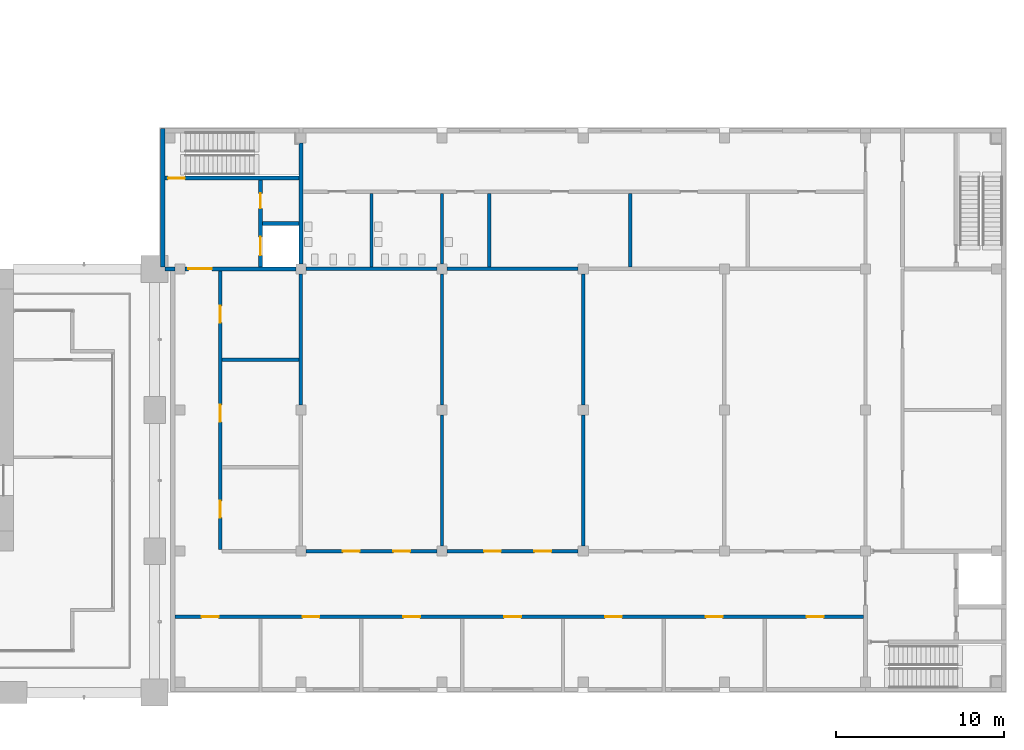
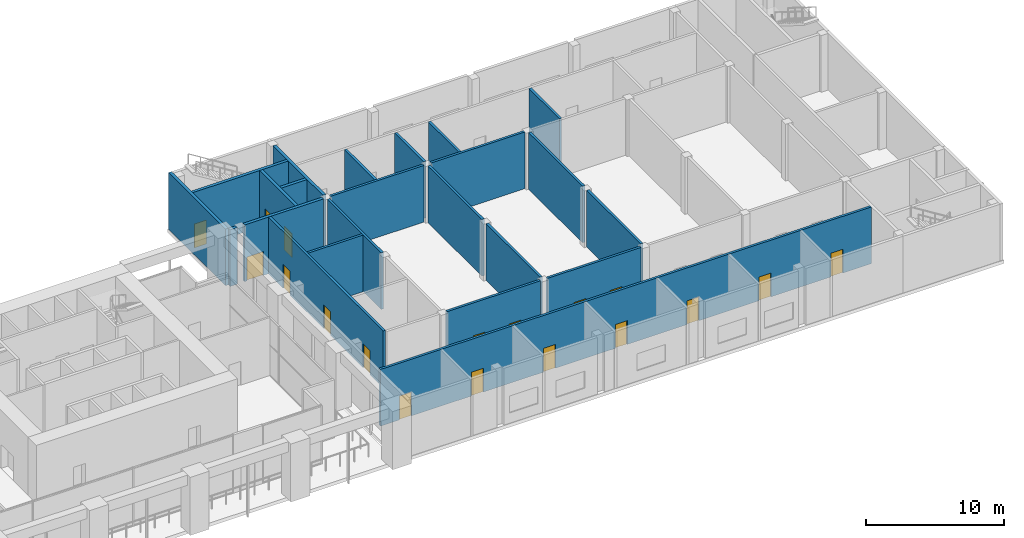
# One storey, part 19 of 32: 23 walls, 18 doors, 18 openings.
"""IFC4 building model written with IfcOpenShell, lengths in metres."""

from ifc_helpers import new_model, si_unit, direction, frame, frame_2d, origin, place, context, subcontext, project, spatial, rectangle, extrude, material, layer, layer_set, type_object, element, fill, save


model = new_model("IFC4")

# Units and contexts
model_context = context("Model", 3, precision=1e-05, world=origin(), true_north=direction((0.0, 1.0)))
body_context = subcontext(model_context, "Body", "Model", "MODEL_VIEW")
ifc_project = project(units=[si_unit("LENGTHUNIT", "METRE"), si_unit("AREAUNIT", "SQUARE_METRE"), si_unit("VOLUMEUNIT", "CUBIC_METRE"), si_unit("PLANEANGLEUNIT", "RADIAN"), si_unit("MASSUNIT", "GRAM", prefix="KILO")], contexts=[model_context])

# Site, building, storey
site_placement = place(None, origin())
site = spatial("IfcSite", under=ifc_project, at=site_placement, CompositionType="ELEMENT")
building_placement = place(site_placement, origin())
building = spatial("IfcBuilding", under=site, at=building_placement, Name="Vermilion Gate Residences", CompositionType="ELEMENT")
storey_placement = place(building_placement, frame((0.0, 0.0, 19.800048828125)))
storey = spatial("IfcBuildingStorey", under=building, at=storey_placement, Name="L03", CompositionType="ELEMENT", Elevation=19.800048828125)

# Wall, openings, doors
ifc_material_1 = material(Name="Masonry", Category="masonry")
ifc_layer_1 = layer(ifc_material_1, 0.199951171875)
ifc_layer_set_1 = layer_set([ifc_layer_1], Name="PARTITION 200 MASONRY EI 60 (MARKET HALL)")
wall_type_1 = type_object("IfcWallType", Name="PARTITION 200 MASONRY EI 60 (MARKET HALL)", PredefinedType="PARTITIONING", material=ifc_layer_set_1)
wall_1_placement = place(storey_placement, frame((68.39990234375, 4.5, 0.0), z_axis=(0.0, 0.0, 1.0), x_axis=(1.0, 0.0, 0.0)))
wall_1 = element("IfcWall", 1, at=wall_1_placement, inside=storey, type_object=wall_type_1, Name="Partition wall L03-8", PredefinedType="PARTITIONING", context=body_context, shape_type="SweptSolid", body=[
    extrude(rectangle(XDim=40.97509765625, YDim=0.199951171875, at=frame_2d((20.487548828125, 0.0))), origin(), (0.0, 0.0, 1.0), 5.0),
])
opening_1_placement = place(wall_1_placement, frame((1.60009765625, 0.0, 0.0)))
opening_1 = element("IfcOpeningElement", 2, at=opening_1_placement, cuts=wall_1, Name="Opening DH03002", PredefinedType="OPENING", context=body_context, shape_type="SweptSolid", body=[
    extrude(rectangle(XDim=1.0, YDim=2.10009765625, at=frame_2d((0.5, 1.050048828125))), frame((0.0, 0.10986328125, 0.0), z_axis=(0.0, -1.0, 0.0), x_axis=(1.0, 0.0, 0.0)), (0.0, 0.0, 1.0), 0.219970703125),
])
opening_2_placement = place(wall_1_placement, frame((7.60009765625, 0.0, 0.0)))
opening_2 = element("IfcOpeningElement", 3, at=opening_2_placement, cuts=wall_1, Name="Opening DH03003", PredefinedType="OPENING", context=body_context, shape_type="SweptSolid", body=[
    extrude(rectangle(XDim=1.0, YDim=2.10009765625, at=frame_2d((0.5, 1.050048828125))), frame((0.0, 0.10986328125, 0.0), z_axis=(0.0, -1.0, 0.0), x_axis=(1.0, 0.0, 0.0)), (0.0, 0.0, 1.0), 0.219970703125),
])
opening_3_placement = place(wall_1_placement, frame((13.60009765625, 0.0, 0.0)))
opening_3 = element("IfcOpeningElement", 4, at=opening_3_placement, cuts=wall_1, Name="Opening DH03004", PredefinedType="OPENING", context=body_context, shape_type="SweptSolid", body=[
    extrude(rectangle(XDim=1.0, YDim=2.10009765625, at=frame_2d((0.5, 1.050048828125))), frame((0.0, 0.10986328125, 0.0), z_axis=(0.0, -1.0, 0.0), x_axis=(1.0, 0.0, 0.0)), (0.0, 0.0, 1.0), 0.219970703125),
])
opening_4_placement = place(wall_1_placement, frame((19.60009765625, 0.0, 0.0)))
opening_4 = element("IfcOpeningElement", 5, at=opening_4_placement, cuts=wall_1, Name="Opening DH03005", PredefinedType="OPENING", context=body_context, shape_type="SweptSolid", body=[
    extrude(rectangle(XDim=1.0, YDim=2.10009765625, at=frame_2d((0.5, 1.050048828125))), frame((0.0, 0.10986328125, 0.0), z_axis=(0.0, -1.0, 0.0), x_axis=(1.0, 0.0, 0.0)), (0.0, 0.0, 1.0), 0.219970703125),
])
opening_5_placement = place(wall_1_placement, frame((25.60009765625, 0.0, 0.0)))
opening_5 = element("IfcOpeningElement", 6, at=opening_5_placement, cuts=wall_1, Name="Opening DH03006", PredefinedType="OPENING", context=body_context, shape_type="SweptSolid", body=[
    extrude(rectangle(XDim=1.0, YDim=2.10009765625, at=frame_2d((0.5, 1.050048828125))), frame((0.0, 0.10986328125, 0.0), z_axis=(0.0, -1.0, 0.0), x_axis=(1.0, 0.0, 0.0)), (0.0, 0.0, 1.0), 0.219970703125),
])
opening_6_placement = place(wall_1_placement, frame((31.60009765625, 0.0, 0.0)))
opening_6 = element("IfcOpeningElement", 7, at=opening_6_placement, cuts=wall_1, Name="Opening DH03007", PredefinedType="OPENING", context=body_context, shape_type="SweptSolid", body=[
    extrude(rectangle(XDim=1.0, YDim=2.10009765625, at=frame_2d((0.5, 1.050048828125))), frame((0.0, 0.10986328125, 0.0), z_axis=(0.0, -1.0, 0.0), x_axis=(1.0, 0.0, 0.0)), (0.0, 0.0, 1.0), 0.219970703125),
])
opening_7_placement = place(wall_1_placement, frame((37.60009765625, 0.0, 0.0)))
opening_7 = element("IfcOpeningElement", 8, at=opening_7_placement, cuts=wall_1, Name="Opening DH03008", PredefinedType="OPENING", context=body_context, shape_type="SweptSolid", body=[
    extrude(rectangle(XDim=1.0, YDim=2.10009765625, at=frame_2d((0.5, 1.050048828125))), frame((0.0, 0.10986328125, 0.0), z_axis=(0.0, -1.0, 0.0), x_axis=(1.0, 0.0, 0.0)), (0.0, 0.0, 1.0), 0.219970703125),
])
ifc_material_2 = material(Name="Steel", Category="steel")
door_type_1 = type_object("IfcDoorType", Name="FIRE DOOR FD30 1000 X 2100 (MARKET HALL)", OperationType="SINGLE_SWING_LEFT", PredefinedType="DOOR", material=ifc_material_2)
door_1_placement = place(opening_1_placement, frame((1.0, 0.0, 0.0), z_axis=(0.0, 0.0, 1.0), x_axis=(-1.0, 0.0, 0.0)))
door_1 = element("IfcDoor", 9, at=door_1_placement, inside=storey, type_object=door_type_1, Name="Fire door DH03002", OperationType="SINGLE_SWING_RIGHT", OverallHeight=2.10009765625, OverallWidth=1.0, PredefinedType="DOOR", context=body_context, shape_type="SweptSolid", body=[
    extrude(rectangle(XDim=1.0, YDim=2.10009765625, at=frame_2d((0.5, 1.050048828125))), frame((0.0, 0.02490234375, 0.0), z_axis=(0.0, -1.0, 0.0), x_axis=(1.0, 0.0, 0.0)), (0.0, 0.0, 1.0), 0.050048828125),
])
fill(opening_1, door_1)
door_2_placement = place(opening_2_placement, frame((1.0, 0.0, 0.0), z_axis=(0.0, 0.0, 1.0), x_axis=(-1.0, 0.0, 0.0)))
door_2 = element("IfcDoor", 10, at=door_2_placement, inside=storey, type_object=door_type_1, Name="Fire door DH03003", OperationType="SINGLE_SWING_RIGHT", OverallHeight=2.10009765625, OverallWidth=1.0, PredefinedType="DOOR", context=body_context, shape_type="SweptSolid", body=[
    extrude(rectangle(XDim=1.0, YDim=2.10009765625, at=frame_2d((0.5, 1.050048828125))), frame((0.0, 0.02490234375, 0.0), z_axis=(0.0, -1.0, 0.0), x_axis=(1.0, 0.0, 0.0)), (0.0, 0.0, 1.0), 0.050048828125),
])
fill(opening_2, door_2)
door_3_placement = place(opening_3_placement, frame((1.0, 0.0, 0.0), z_axis=(0.0, 0.0, 1.0), x_axis=(-1.0, 0.0, 0.0)))
door_3 = element("IfcDoor", 11, at=door_3_placement, inside=storey, type_object=door_type_1, Name="Fire door DH03004", OperationType="SINGLE_SWING_RIGHT", OverallHeight=2.10009765625, OverallWidth=1.0, PredefinedType="DOOR", context=body_context, shape_type="SweptSolid", body=[
    extrude(rectangle(XDim=1.0, YDim=2.10009765625, at=frame_2d((0.5, 1.050048828125))), frame((0.0, 0.02490234375, 0.0), z_axis=(0.0, -1.0, 0.0), x_axis=(1.0, 0.0, 0.0)), (0.0, 0.0, 1.0), 0.050048828125),
])
fill(opening_3, door_3)
door_4_placement = place(opening_4_placement, frame((1.0, 0.0, 0.0), z_axis=(0.0, 0.0, 1.0), x_axis=(-1.0, 0.0, 0.0)))
door_4 = element("IfcDoor", 12, at=door_4_placement, inside=storey, type_object=door_type_1, Name="Fire door DH03005", OperationType="SINGLE_SWING_RIGHT", OverallHeight=2.10009765625, OverallWidth=1.0, PredefinedType="DOOR", context=body_context, shape_type="SweptSolid", body=[
    extrude(rectangle(XDim=1.0, YDim=2.10009765625, at=frame_2d((0.5, 1.050048828125))), frame((0.0, 0.02490234375, 0.0), z_axis=(0.0, -1.0, 0.0), x_axis=(1.0, 0.0, 0.0)), (0.0, 0.0, 1.0), 0.050048828125),
])
fill(opening_4, door_4)
door_5_placement = place(opening_5_placement, frame((1.0, 0.0, 0.0), z_axis=(0.0, 0.0, 1.0), x_axis=(-1.0, 0.0, 0.0)))
door_5 = element("IfcDoor", 13, at=door_5_placement, inside=storey, type_object=door_type_1, Name="Fire door DH03006", OperationType="SINGLE_SWING_RIGHT", OverallHeight=2.10009765625, OverallWidth=1.0, PredefinedType="DOOR", context=body_context, shape_type="SweptSolid", body=[
    extrude(rectangle(XDim=1.0, YDim=2.10009765625, at=frame_2d((0.5, 1.050048828125))), frame((0.0, 0.02490234375, 0.0), z_axis=(0.0, -1.0, 0.0), x_axis=(1.0, 0.0, 0.0)), (0.0, 0.0, 1.0), 0.050048828125),
])
fill(opening_5, door_5)
door_6_placement = place(opening_6_placement, frame((1.0, 0.0, 0.0), z_axis=(0.0, 0.0, 1.0), x_axis=(-1.0, 0.0, 0.0)))
door_6 = element("IfcDoor", 14, at=door_6_placement, inside=storey, type_object=door_type_1, Name="Fire door DH03007", OperationType="SINGLE_SWING_RIGHT", OverallHeight=2.10009765625, OverallWidth=1.0, PredefinedType="DOOR", context=body_context, shape_type="SweptSolid", body=[
    extrude(rectangle(XDim=1.0, YDim=2.10009765625, at=frame_2d((0.5, 1.050048828125))), frame((0.0, 0.02490234375, 0.0), z_axis=(0.0, -1.0, 0.0), x_axis=(1.0, 0.0, 0.0)), (0.0, 0.0, 1.0), 0.050048828125),
])
fill(opening_6, door_6)
door_7_placement = place(opening_7_placement, frame((1.0, 0.0, 0.0), z_axis=(0.0, 0.0, 1.0), x_axis=(-1.0, 0.0, 0.0)))
door_7 = element("IfcDoor", 15, at=door_7_placement, inside=storey, type_object=door_type_1, Name="Fire door DH03008", OperationType="SINGLE_SWING_LEFT", OverallHeight=2.10009765625, OverallWidth=1.0, PredefinedType="DOOR", context=body_context, shape_type="SweptSolid", body=[
    extrude(rectangle(XDim=1.0, YDim=2.10009765625, at=frame_2d((0.5, 1.050048828125))), frame((0.0, 0.02490234375, 0.0), z_axis=(0.0, -1.0, 0.0), x_axis=(1.0, 0.0, 0.0)), (0.0, 0.0, 1.0), 0.050048828125),
])
fill(opening_7, door_7)

wall_2_placement = place(storey_placement, frame((76.199951171875, 8.39990234375, 0.0), z_axis=(0.0, 0.0, 1.0), x_axis=(1.0, 0.0, 0.0)))
wall_2 = element("IfcWall", 16, at=wall_2_placement, inside=storey, type_object=wall_type_1, Name="Partition wall L03-11", PredefinedType="PARTITIONING", context=body_context, shape_type="SweptSolid", body=[
    extrude(rectangle(XDim=7.800048828125, YDim=0.199951171875, at=frame_2d((3.89990234375, 0.0))), origin(), (0.0, 0.0, 1.0), 5.0),
])
opening_8_placement = place(wall_2_placement, frame((2.199951171875, 0.0, 0.0)))
opening_8 = element("IfcOpeningElement", 17, at=opening_8_placement, cuts=wall_2, Name="Opening DH03009", PredefinedType="OPENING", context=body_context, shape_type="SweptSolid", body=[
    extrude(rectangle(XDim=1.0, YDim=2.10009765625, at=frame_2d((0.5, 1.050048828125))), frame((0.0, 0.10986328125, 0.0), z_axis=(0.0, -1.0, 0.0), x_axis=(1.0, 0.0, 0.0)), (0.0, 0.0, 1.0), 0.219970703125),
])
opening_9_placement = place(wall_2_placement, frame((5.199951171875, 0.0, 0.0)))
opening_9 = element("IfcOpeningElement", 18, at=opening_9_placement, cuts=wall_2, Name="Opening DH03010", PredefinedType="OPENING", context=body_context, shape_type="SweptSolid", body=[
    extrude(rectangle(XDim=1.0, YDim=2.10009765625, at=frame_2d((0.5, 1.050048828125))), frame((0.0, 0.10986328125, 0.0), z_axis=(0.0, -1.0, 0.0), x_axis=(1.0, 0.0, 0.0)), (0.0, 0.0, 1.0), 0.219970703125),
])
door_8_placement = place(opening_8_placement, frame((1.0, 0.0, 0.0), z_axis=(0.0, 0.0, 1.0), x_axis=(-1.0, 0.0, 0.0)))
door_8 = element("IfcDoor", 19, at=door_8_placement, inside=storey, type_object=door_type_1, Name="Fire door DH03009", OperationType="SINGLE_SWING_RIGHT", OverallHeight=2.10009765625, OverallWidth=1.0, PredefinedType="DOOR", context=body_context, shape_type="SweptSolid", body=[
    extrude(rectangle(XDim=1.0, YDim=2.10009765625, at=frame_2d((0.5, 1.050048828125))), frame((0.0, 0.02490234375, 0.0), z_axis=(0.0, -1.0, 0.0), x_axis=(1.0, 0.0, 0.0)), (0.0, 0.0, 1.0), 0.050048828125),
])
fill(opening_8, door_8)
door_9_placement = place(opening_9_placement, frame((1.0, 0.0, 0.0), z_axis=(0.0, 0.0, 1.0), x_axis=(-1.0, 0.0, 0.0)))
door_9 = element("IfcDoor", 20, at=door_9_placement, inside=storey, type_object=door_type_1, Name="Fire door DH03010", OperationType="SINGLE_SWING_LEFT", OverallHeight=2.10009765625, OverallWidth=1.0, PredefinedType="DOOR", context=body_context, shape_type="SweptSolid", body=[
    extrude(rectangle(XDim=1.0, YDim=2.10009765625, at=frame_2d((0.5, 1.050048828125))), frame((0.0, 0.02490234375, 0.0), z_axis=(0.0, -1.0, 0.0), x_axis=(1.0, 0.0, 0.0)), (0.0, 0.0, 1.0), 0.050048828125),
])
fill(opening_9, door_9)

wall_3_placement = place(storey_placement, frame((84.60009765625, 8.39990234375, 0.0), z_axis=(0.0, 0.0, 1.0), x_axis=(1.0, 0.0, 0.0)))
wall_3 = element("IfcWall", 21, at=wall_3_placement, inside=storey, type_object=wall_type_1, Name="Partition wall L03-12", PredefinedType="PARTITIONING", context=body_context, shape_type="SweptSolid", body=[
    extrude(rectangle(XDim=7.7998046875, YDim=0.199951171875, at=frame_2d((3.89990234375, 0.0))), origin(), (0.0, 0.0, 1.0), 5.0),
])
opening_10_placement = place(wall_3_placement, frame((2.199951171875, 0.0, 0.0)))
opening_10 = element("IfcOpeningElement", 22, at=opening_10_placement, cuts=wall_3, Name="Opening DH03011", PredefinedType="OPENING", context=body_context, shape_type="SweptSolid", body=[
    extrude(rectangle(XDim=1.0, YDim=2.10009765625, at=frame_2d((0.5, 1.050048828125))), frame((0.0, 0.10986328125, 0.0), z_axis=(0.0, -1.0, 0.0), x_axis=(1.0, 0.0, 0.0)), (0.0, 0.0, 1.0), 0.219970703125),
])
opening_11_placement = place(wall_3_placement, frame((5.199951171875, 0.0, 0.0)))
opening_11 = element("IfcOpeningElement", 23, at=opening_11_placement, cuts=wall_3, Name="Opening DH03012", PredefinedType="OPENING", context=body_context, shape_type="SweptSolid", body=[
    extrude(rectangle(XDim=1.0, YDim=2.10009765625, at=frame_2d((0.5, 1.050048828125))), frame((0.0, 0.10986328125, 0.0), z_axis=(0.0, -1.0, 0.0), x_axis=(1.0, 0.0, 0.0)), (0.0, 0.0, 1.0), 0.219970703125),
])
door_10_placement = place(opening_10_placement, frame((1.0, 0.0, 0.0), z_axis=(0.0, 0.0, 1.0), x_axis=(-1.0, 0.0, 0.0)))
door_10 = element("IfcDoor", 24, at=door_10_placement, inside=storey, type_object=door_type_1, Name="Fire door DH03011", OperationType="SINGLE_SWING_RIGHT", OverallHeight=2.10009765625, OverallWidth=1.0, PredefinedType="DOOR", context=body_context, shape_type="SweptSolid", body=[
    extrude(rectangle(XDim=1.0, YDim=2.10009765625, at=frame_2d((0.5, 1.050048828125))), frame((0.0, 0.02490234375, 0.0), z_axis=(0.0, -1.0, 0.0), x_axis=(1.0, 0.0, 0.0)), (0.0, 0.0, 1.0), 0.050048828125),
])
fill(opening_10, door_10)
door_11_placement = place(opening_11_placement, frame((1.0, 0.0, 0.0), z_axis=(0.0, 0.0, 1.0), x_axis=(-1.0, 0.0, 0.0)))
door_11 = element("IfcDoor", 25, at=door_11_placement, inside=storey, type_object=door_type_1, Name="Fire door DH03012", OperationType="SINGLE_SWING_LEFT", OverallHeight=2.10009765625, OverallWidth=1.0, PredefinedType="DOOR", context=body_context, shape_type="SweptSolid", body=[
    extrude(rectangle(XDim=1.0, YDim=2.10009765625, at=frame_2d((0.5, 1.050048828125))), frame((0.0, 0.02490234375, 0.0), z_axis=(0.0, -1.0, 0.0), x_axis=(1.0, 0.0, 0.0)), (0.0, 0.0, 1.0), 0.050048828125),
])
fill(opening_11, door_11)

# Walls
wall_4_placement = place(storey_placement, frame((71.199951171875, 19.800048828125, 0.0), z_axis=(0.0, 0.0, 1.0), x_axis=(1.0, 0.0, 0.0)))
element("IfcWall", 26, at=wall_4_placement, inside=storey, type_object=wall_type_1, Name="Partition wall L03-18", PredefinedType="PARTITIONING", context=body_context, shape_type="SweptSolid", body=[
    extrude(rectangle(XDim=4.60009765625, YDim=0.199951171875, at=frame_2d((2.300048828125, 0.0))), origin(), (0.0, 0.0, 1.0), 5.0),
])
wall_5_placement = place(storey_placement, frame((76.199951171875, 25.199951171875, 0.0), z_axis=(0.0, 0.0, 1.0), x_axis=(1.0, 0.0, 0.0)))
element("IfcWall", 27, at=wall_5_placement, inside=storey, type_object=wall_type_1, Name="Partition wall L03-21", PredefinedType="PARTITIONING", context=body_context, shape_type="SweptSolid", body=[
    extrude(rectangle(XDim=7.800048828125, YDim=0.199951171875, at=frame_2d((3.89990234375, 0.0))), origin(), (0.0, 0.0, 1.0), 5.0),
])
wall_6_placement = place(storey_placement, frame((84.60009765625, 25.199951171875, 0.0), z_axis=(0.0, 0.0, 1.0), x_axis=(1.0, 0.0, 0.0)))
element("IfcWall", 28, at=wall_6_placement, inside=storey, type_object=wall_type_1, Name="Partition wall L03-22", PredefinedType="PARTITIONING", context=body_context, shape_type="SweptSolid", body=[
    extrude(rectangle(XDim=7.7998046875, YDim=0.199951171875, at=frame_2d((3.89990234375, 0.0))), origin(), (0.0, 0.0, 1.0), 5.0),
])

# Wall, openings, doors
wall_7_placement = place(storey_placement, frame((71.10009765625, 8.5, 0.0), z_axis=(0.0, 0.0, 1.0), x_axis=(0.0, 1.0, 0.0)))
wall_7 = element("IfcWall", 29, at=wall_7_placement, inside=storey, type_object=wall_type_1, Name="Partition wall L03-38", PredefinedType="PARTITIONING", context=body_context, shape_type="SweptSolid", body=[
    extrude(rectangle(XDim=16.574951171875, YDim=0.199951171875, at=frame_2d((8.28759765625, 0.0))), origin(), (0.0, 0.0, 1.0), 5.0),
])
opening_12_placement = place(wall_7_placement, frame((1.89990234375, 0.0, 0.0)))
opening_12 = element("IfcOpeningElement", 30, at=opening_12_placement, cuts=wall_7, Name="Opening DH03027", PredefinedType="OPENING", context=body_context, shape_type="SweptSolid", body=[
    extrude(rectangle(XDim=1.0, YDim=2.10009765625, at=frame_2d((0.5, 1.050048828125))), frame((0.0, 0.10986328125, 0.0), z_axis=(0.0, -1.0, 0.0), x_axis=(1.0, 0.0, 0.0)), (0.0, 0.0, 1.0), 0.219970703125),
])
opening_13_placement = place(wall_7_placement, frame((7.60009765625, 0.0, 0.0)))
opening_13 = element("IfcOpeningElement", 31, at=opening_13_placement, cuts=wall_7, Name="Opening DH03028", PredefinedType="OPENING", context=body_context, shape_type="SweptSolid", body=[
    extrude(rectangle(XDim=1.0, YDim=2.10009765625, at=frame_2d((0.5, 1.050048828125))), frame((0.0, 0.10986328125, 0.0), z_axis=(0.0, -1.0, 0.0), x_axis=(1.0, 0.0, 0.0)), (0.0, 0.0, 1.0), 0.219970703125),
])
opening_14_placement = place(wall_7_placement, frame((13.5, 0.0, 0.0)))
opening_14 = element("IfcOpeningElement", 32, at=opening_14_placement, cuts=wall_7, Name="Opening DH03029", PredefinedType="OPENING", context=body_context, shape_type="SweptSolid", body=[
    extrude(rectangle(XDim=1.0, YDim=2.10009765625, at=frame_2d((0.5, 1.050048828125))), frame((0.0, 0.10986328125, 0.0), z_axis=(0.0, -1.0, 0.0), x_axis=(1.0, 0.0, 0.0)), (0.0, 0.0, 1.0), 0.219970703125),
])
door_12_placement = place(opening_12_placement, frame((1.0, 0.0, 0.0), z_axis=(0.0, 0.0, 1.0), x_axis=(-1.0, 0.0, 0.0)))
door_12 = element("IfcDoor", 33, at=door_12_placement, inside=storey, type_object=door_type_1, Name="Fire door DH03027", OperationType="SINGLE_SWING_RIGHT", OverallHeight=2.10009765625, OverallWidth=1.0, PredefinedType="DOOR", context=body_context, shape_type="SweptSolid", body=[
    extrude(rectangle(XDim=1.0, YDim=2.10009765625, at=frame_2d((0.5, 1.050048828125))), frame((0.0, 0.02490234375, 0.0), z_axis=(0.0, -1.0, 0.0), x_axis=(1.0, 0.0, 0.0)), (0.0, 0.0, 1.0), 0.050048828125),
])
fill(opening_12, door_12)
door_13_placement = place(opening_13_placement, frame((1.0, 0.0, 0.0), z_axis=(0.0, 0.0, 1.0), x_axis=(-1.0, 0.0, 0.0)))
door_13 = element("IfcDoor", 34, at=door_13_placement, inside=storey, type_object=door_type_1, Name="Fire door DH03028", OperationType="SINGLE_SWING_LEFT", OverallHeight=2.10009765625, OverallWidth=1.0, PredefinedType="DOOR", context=body_context, shape_type="SweptSolid", body=[
    extrude(rectangle(XDim=1.0, YDim=2.10009765625, at=frame_2d((0.5, 1.050048828125))), frame((0.0, 0.02490234375, 0.0), z_axis=(0.0, -1.0, 0.0), x_axis=(1.0, 0.0, 0.0)), (0.0, 0.0, 1.0), 0.050048828125),
])
fill(opening_13, door_13)
door_14_placement = place(opening_14_placement, frame((1.0, 0.0, 0.0), z_axis=(0.0, 0.0, 1.0), x_axis=(-1.0, 0.0, 0.0)))
door_14 = element("IfcDoor", 35, at=door_14_placement, inside=storey, type_object=door_type_1, Name="Fire door DH03029", OperationType="SINGLE_SWING_LEFT", OverallHeight=2.10009765625, OverallWidth=1.0, PredefinedType="DOOR", context=body_context, shape_type="SweptSolid", body=[
    extrude(rectangle(XDim=1.0, YDim=2.10009765625, at=frame_2d((0.5, 1.050048828125))), frame((0.0, 0.02490234375, 0.0), z_axis=(0.0, -1.0, 0.0), x_axis=(1.0, 0.0, 0.0)), (0.0, 0.0, 1.0), 0.050048828125),
])
fill(opening_14, door_14)

# Walls
wall_8_placement = place(storey_placement, frame((75.89990234375, 17.10009765625, 0.0), z_axis=(0.0, 0.0, 1.0), x_axis=(0.0, 1.0, 0.0)))
element("IfcWall", 36, at=wall_8_placement, inside=storey, type_object=wall_type_1, Name="Partition wall L03-42", PredefinedType="PARTITIONING", context=body_context, shape_type="SweptSolid", body=[
    extrude(rectangle(XDim=7.7998046875, YDim=0.199951171875, at=frame_2d((3.89990234375, 0.0))), origin(), (0.0, 0.0, 1.0), 5.0),
])
wall_9_placement = place(storey_placement, frame((80.10009765625, 25.300048828125, 0.0), z_axis=(0.0, 0.0, 1.0), x_axis=(0.0, 1.0, 0.0)))
element("IfcWall", 37, at=wall_9_placement, inside=storey, type_object=wall_type_1, Name="Partition wall L03-46", PredefinedType="PARTITIONING", context=body_context, shape_type="SweptSolid", body=[
    extrude(rectangle(XDim=4.39990234375, YDim=0.199951171875, at=frame_2d((2.199951171875, 0.0))), origin(), (0.0, 0.0, 1.0), 5.0),
])
wall_10_placement = place(storey_placement, frame((84.300048828125, 8.699951171875, 0.0), z_axis=(0.0, 0.0, 1.0), x_axis=(0.0, 1.0, 0.0)))
element("IfcWall", 38, at=wall_10_placement, inside=storey, type_object=wall_type_1, Name="Partition wall L03-47", PredefinedType="PARTITIONING", context=body_context, shape_type="SweptSolid", body=[
    extrude(rectangle(XDim=7.800048828125, YDim=0.199951171875, at=frame_2d((3.89990234375, 0.0))), origin(), (0.0, 0.0, 1.0), 5.0),
])
wall_11_placement = place(storey_placement, frame((84.300048828125, 17.10009765625, 0.0), z_axis=(0.0, 0.0, 1.0), x_axis=(0.0, 1.0, 0.0)))
element("IfcWall", 39, at=wall_11_placement, inside=storey, type_object=wall_type_1, Name="Partition wall L03-48", PredefinedType="PARTITIONING", context=body_context, shape_type="SweptSolid", body=[
    extrude(rectangle(XDim=7.7998046875, YDim=0.199951171875, at=frame_2d((3.89990234375, 0.0))), origin(), (0.0, 0.0, 1.0), 5.0),
])
wall_12_placement = place(storey_placement, frame((84.300048828125, 25.5, 0.0), z_axis=(0.0, 0.0, 1.0), x_axis=(0.0, 1.0, 0.0)))
element("IfcWall", 40, at=wall_12_placement, inside=storey, type_object=wall_type_1, Name="Partition wall L03-49", PredefinedType="PARTITIONING", context=body_context, shape_type="SweptSolid", body=[
    extrude(rectangle(XDim=4.199951171875, YDim=0.199951171875, at=frame_2d((2.10009765625, 0.0))), origin(), (0.0, 0.0, 1.0), 5.0),
])
wall_13_placement = place(storey_placement, frame((87.10009765625, 25.300048828125, 0.0), z_axis=(0.0, 0.0, 1.0), x_axis=(0.0, 1.0, 0.0)))
element("IfcWall", 41, at=wall_13_placement, inside=storey, type_object=wall_type_1, Name="Partition wall L03-51", PredefinedType="PARTITIONING", context=body_context, shape_type="SweptSolid", body=[
    extrude(rectangle(XDim=4.39990234375, YDim=0.199951171875, at=frame_2d((2.199951171875, 0.0))), origin(), (0.0, 0.0, 1.0), 5.0),
])
wall_14_placement = place(storey_placement, frame((92.699951171875, 8.699951171875, 0.0), z_axis=(0.0, 0.0, 1.0), x_axis=(0.0, 1.0, 0.0)))
element("IfcWall", 42, at=wall_14_placement, inside=storey, type_object=wall_type_1, Name="Partition wall L03-53", PredefinedType="PARTITIONING", context=body_context, shape_type="SweptSolid", body=[
    extrude(rectangle(XDim=7.800048828125, YDim=0.199951171875, at=frame_2d((3.89990234375, 0.0))), origin(), (0.0, 0.0, 1.0), 5.0),
])
wall_15_placement = place(storey_placement, frame((92.699951171875, 17.10009765625, 0.0), z_axis=(0.0, 0.0, 1.0), x_axis=(0.0, 1.0, 0.0)))
element("IfcWall", 43, at=wall_15_placement, inside=storey, type_object=wall_type_1, Name="Partition wall L03-54", PredefinedType="PARTITIONING", context=body_context, shape_type="SweptSolid", body=[
    extrude(rectangle(XDim=7.7998046875, YDim=0.199951171875, at=frame_2d((3.89990234375, 0.0))), origin(), (0.0, 0.0, 1.0), 5.0),
])
wall_16_placement = place(storey_placement, frame((95.5, 25.300048828125, 0.0), z_axis=(0.0, 0.0, 1.0), x_axis=(0.0, 1.0, 0.0)))
element("IfcWall", 44, at=wall_16_placement, inside=storey, type_object=wall_type_1, Name="Partition wall L03-55", PredefinedType="PARTITIONING", context=body_context, shape_type="SweptSolid", body=[
    extrude(rectangle(XDim=4.39990234375, YDim=0.199951171875, at=frame_2d((2.199951171875, 0.0))), origin(), (0.0, 0.0, 1.0), 5.0),
])
ifc_material_3 = material(Name="Concrete C45", Category="concrete")
ifc_layer_2 = layer(ifc_material_3, 0.25)
ifc_layer_set_2 = layer_set([ifc_layer_2], Name="RC CORE WALL 250 C45 (MARKET HALL)")
wall_type_2 = type_object("IfcWallType", Name="RC CORE WALL 250 C45 (MARKET HALL)", PredefinedType="SHEAR", material=ifc_layer_set_2)
wall_17_placement = place(storey_placement, frame((67.800048828125, 25.199951171875, 0.0), z_axis=(0.0, 0.0, 1.0), x_axis=(1.0, 0.0, 0.0)))
element("IfcWall", 45, at=wall_17_placement, inside=storey, type_object=wall_type_2, Name="Core wall L03-19", PredefinedType="SHEAR", context=body_context, shape_type="SweptSolid", body=[
    extrude(rectangle(XDim=0.599853515625, YDim=0.25, at=frame_2d((0.2998046875, 0.0))), origin(), (0.0, 0.0, 1.0), 5.0),
])

# Wall, opening, door
wall_18_placement = place(storey_placement, frame((69.0, 25.199951171875, 0.0), z_axis=(0.0, 0.0, 1.0), x_axis=(1.0, 0.0, 0.0)))
wall_18 = element("IfcWall", 46, at=wall_18_placement, inside=storey, type_object=wall_type_2, Name="Core wall L03-20", PredefinedType="SHEAR", context=body_context, shape_type="SweptSolid", body=[
    extrude(rectangle(XDim=6.60009765625, YDim=0.25, at=frame_2d((3.300048828125, 0.0))), origin(), (0.0, 0.0, 1.0), 5.0),
])
opening_15_placement = place(wall_18_placement, frame((0.199951171875, 0.0, 0.0)))
opening_15 = element("IfcOpeningElement", 47, at=opening_15_placement, cuts=wall_18, Name="Opening DH03030", PredefinedType="OPENING", context=body_context, shape_type="SweptSolid", body=[
    extrude(rectangle(XDim=1.39990234375, YDim=2.10009765625, at=frame_2d((0.699951171875, 1.050048828125))), frame((0.0, 0.135009765625, 0.0), z_axis=(0.0, -1.0, 0.0), x_axis=(1.0, 0.0, 0.0)), (0.0, 0.0, 1.0), 0.27001953125),
])
ifc_material_4 = material(Name="Steel", Category="steel")
door_type_2 = type_object("IfcDoorType", Name="FIRE DOOR FD60 1400 X 2100 DOUBLE (MARKET HALL)", OperationType="DOUBLE_DOOR_SINGLE_SWING", PredefinedType="DOOR", material=ifc_material_4)
door_15_placement = place(opening_15_placement, origin())
door_15 = element("IfcDoor", 48, at=door_15_placement, inside=storey, type_object=door_type_2, Name="Lobby fire door DH03030", OperationType="DOUBLE_DOOR_SINGLE_SWING", OverallHeight=2.10009765625, OverallWidth=1.39990234375, PredefinedType="DOOR", context=body_context, shape_type="SweptSolid", body=[
    extrude(rectangle(XDim=1.39990234375, YDim=2.10009765625, at=frame_2d((0.699951171875, 1.050048828125))), frame((0.0, 0.02490234375, 0.0), z_axis=(0.0, -1.0, 0.0), x_axis=(1.0, 0.0, 0.0)), (0.0, 0.0, 1.0), 0.050048828125),
])
fill(opening_15, door_15)

# Wall
wall_19_placement = place(storey_placement, frame((73.625, 27.89990234375, 0.0), z_axis=(0.0, 0.0, 1.0), x_axis=(1.0, 0.0, 0.0)))
element("IfcWall", 49, at=wall_19_placement, inside=storey, type_object=wall_type_2, Name="Core wall L03-26", PredefinedType="SHEAR", context=body_context, shape_type="SweptSolid", body=[
    extrude(rectangle(XDim=2.14990234375, YDim=0.25, at=frame_2d((1.074951171875, 0.0))), origin(), (0.0, 0.0, 1.0), 5.0),
])

# Wall, opening, door
wall_20_placement = place(storey_placement, frame((67.800048828125, 30.60009765625, 0.0), z_axis=(0.0, 0.0, 1.0), x_axis=(1.0, 0.0, 0.0)))
wall_20 = element("IfcWall", 50, at=wall_20_placement, inside=storey, type_object=wall_type_2, Name="Core wall L03-28", PredefinedType="SHEAR", context=body_context, shape_type="SweptSolid", body=[
    extrude(rectangle(XDim=7.974853515625, YDim=0.25, at=frame_2d((3.9873046875, 0.0))), origin(), (0.0, 0.0, 1.0), 5.0),
])
opening_16_placement = place(wall_20_placement, frame((0.199951171875, 0.0, 0.0)))
opening_16 = element("IfcOpeningElement", 51, at=opening_16_placement, cuts=wall_20, Name="Opening DH03033", PredefinedType="OPENING", context=body_context, shape_type="SweptSolid", body=[
    extrude(rectangle(XDim=1.0, YDim=2.10009765625, at=frame_2d((0.5, 1.050048828125))), frame((0.0, 0.135009765625, 0.0), z_axis=(0.0, -1.0, 0.0), x_axis=(1.0, 0.0, 0.0)), (0.0, 0.0, 1.0), 0.27001953125),
])
ifc_material_5 = material(Name="Steel", Category="steel")
door_type_3 = type_object("IfcDoorType", Name="STAIR DOOR FD60 1000 X 2100 (MARKET HALL)", OperationType="SINGLE_SWING_LEFT", PredefinedType="DOOR", material=ifc_material_5)
door_16_placement = place(opening_16_placement, origin())
door_16 = element("IfcDoor", 52, at=door_16_placement, inside=storey, type_object=door_type_3, Name="Stair door DH03033", OperationType="SINGLE_SWING_RIGHT", OverallHeight=2.10009765625, OverallWidth=1.0, PredefinedType="DOOR", context=body_context, shape_type="SweptSolid", body=[
    extrude(rectangle(XDim=1.0, YDim=2.10009765625, at=frame_2d((0.5, 1.050048828125))), frame((0.0, 0.02490234375, 0.0), z_axis=(0.0, -1.0, 0.0), x_axis=(1.0, 0.0, 0.0)), (0.0, 0.0, 1.0), 0.050048828125),
])
fill(opening_16, door_16)

# Wall
wall_21_placement = place(storey_placement, frame((67.675048828125, 25.324951171875, 0.0), z_axis=(0.0, 0.0, 1.0), x_axis=(0.0, 1.0, 0.0)))
element("IfcWall", 53, at=wall_21_placement, inside=storey, type_object=wall_type_2, Name="Core wall L03-36", PredefinedType="SHEAR", context=body_context, shape_type="SweptSolid", body=[
    extrude(rectangle(XDim=8.22509765625, YDim=0.25, at=frame_2d((4.112548828125, 0.0))), origin(), (0.0, 0.0, 1.0), 5.0),
])

# Wall, openings, doors
wall_22_placement = place(storey_placement, frame((73.5, 25.324951171875, 0.0), z_axis=(0.0, 0.0, 1.0), x_axis=(0.0, 1.0, 0.0)))
wall_22 = element("IfcWall", 54, at=wall_22_placement, inside=storey, type_object=wall_type_2, Name="Core wall L03-40", PredefinedType="SHEAR", context=body_context, shape_type="SweptSolid", body=[
    extrude(rectangle(XDim=5.150146484375, YDim=0.25, at=frame_2d((2.5751953125, 0.0))), origin(), (0.0, 0.0, 1.0), 5.0),
])
opening_17_placement = place(wall_22_placement, frame((0.675048828125, 0.0, 0.0)))
opening_17 = element("IfcOpeningElement", 55, at=opening_17_placement, cuts=wall_22, Name="Opening LD", PredefinedType="OPENING", context=body_context, shape_type="SweptSolid", body=[
    extrude(rectangle(XDim=1.10009765625, YDim=2.10009765625, at=frame_2d((0.550048828125, 1.050048828125))), frame((0.0, 0.135009765625, 0.0), z_axis=(0.0, -1.0, 0.0), x_axis=(1.0, 0.0, 0.0)), (0.0, 0.0, 1.0), 0.27001953125),
])
opening_18_placement = place(wall_22_placement, frame((3.47509765625, 0.0, 0.0)))
opening_18 = element("IfcOpeningElement", 56, at=opening_18_placement, cuts=wall_22, Name="Opening DH03035", PredefinedType="OPENING", context=body_context, shape_type="SweptSolid", body=[
    extrude(rectangle(XDim=0.89990234375, YDim=2.10009765625, at=frame_2d((0.449951171875, 1.050048828125))), frame((0.0, 0.135009765625, 0.0), z_axis=(0.0, -1.0, 0.0), x_axis=(1.0, 0.0, 0.0)), (0.0, 0.0, 1.0), 0.27001953125),
])
ifc_material_6 = material(Name="Steel", Category="steel")
door_type_4 = type_object("IfcDoorType", Name="FIRE DOOR FD60 900 X 2100 (MARKET HALL)", OperationType="SINGLE_SWING_LEFT", PredefinedType="DOOR", material=ifc_material_6)
door_17_placement = place(opening_18_placement, frame((0.89990234375, 0.0, 0.0), z_axis=(0.0, 0.0, 1.0), x_axis=(-1.0, 0.0, 0.0)))
door_17 = element("IfcDoor", 57, at=door_17_placement, inside=storey, type_object=door_type_4, Name="Lobby fire door DH03035", OperationType="SINGLE_SWING_RIGHT", OverallHeight=2.10009765625, OverallWidth=0.89990234375, PredefinedType="DOOR", context=body_context, shape_type="SweptSolid", body=[
    extrude(rectangle(XDim=0.89990234375, YDim=2.10009765625, at=frame_2d((0.449951171875, 1.050048828125))), frame((0.0, 0.02490234375, 0.0), z_axis=(0.0, -1.0, 0.0), x_axis=(1.0, 0.0, 0.0)), (0.0, 0.0, 1.0), 0.050048828125),
])
fill(opening_18, door_17)
ifc_material_7 = material(Name="Stainless steel", Category="steel")
door_type_5 = type_object("IfcDoorType", Name="LIFT LANDING DOOR 1100 X 2100 (MARKET HALL)", OperationType="SLIDING_TO_LEFT", PredefinedType="DOOR", material=ifc_material_7)
door_18_placement = place(opening_17_placement, origin())
door_18 = element("IfcDoor", 58, at=door_18_placement, inside=storey, type_object=door_type_5, Name="Lift landing door L03-34", OperationType="SLIDING_TO_LEFT", OverallHeight=2.10009765625, OverallWidth=1.10009765625, PredefinedType="DOOR", context=body_context, shape_type="SweptSolid", body=[
    extrude(rectangle(XDim=1.10009765625, YDim=2.10009765625, at=frame_2d((0.550048828125, 1.050048828125))), frame((0.0, 0.02490234375, 0.0), z_axis=(0.0, -1.0, 0.0), x_axis=(1.0, 0.0, 0.0)), (0.0, 0.0, 1.0), 0.050048828125),
])
fill(opening_17, door_18)

# Wall
wall_23_placement = place(storey_placement, frame((75.89990234375, 25.5, 0.0), z_axis=(0.0, 0.0, 1.0), x_axis=(0.0, 1.0, 0.0)))
element("IfcWall", 59, at=wall_23_placement, inside=storey, type_object=wall_type_2, Name="Core wall L03-43", PredefinedType="SHEAR", context=body_context, shape_type="SweptSolid", body=[
    extrude(rectangle(XDim=7.199951171875, YDim=0.25, at=frame_2d((3.60009765625, 0.0))), origin(), (0.0, 0.0, 1.0), 5.0),
])

save(model, "model.ifc")
